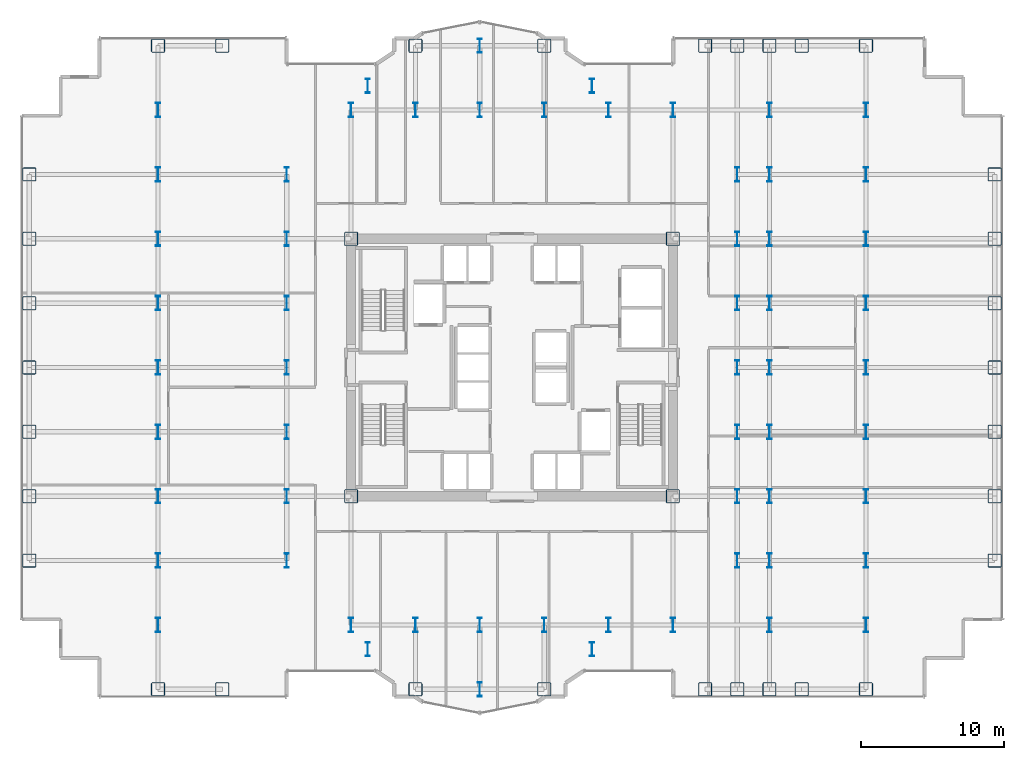
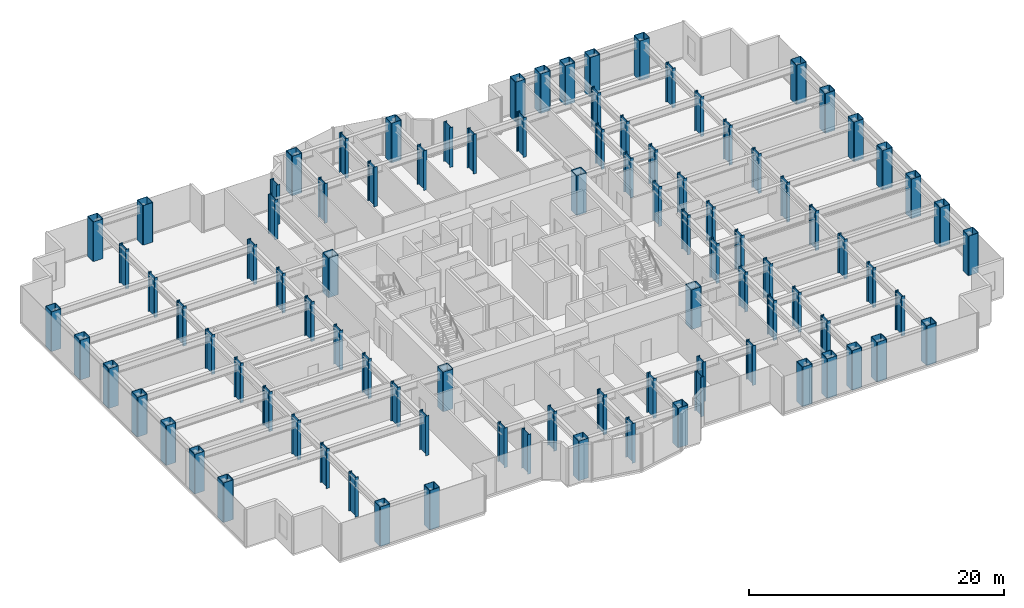
# One storey, part 1 of 26: 95 columns.
"""IFC4 building model written with IfcOpenShell, lengths in metres."""

from ifc_helpers import new_model, si_unit, direction, frame, origin, origin_2d, place, context, subcontext, project, spatial, hollow_rectangle, i_section, extrude, source, transform, mapped, material, material_profile, profile_set, type_object, element, save


model = new_model("IFC4")

# Units and contexts
model_context = context("Model", 3, precision=1e-05, world=origin(), true_north=direction((0.0, 1.0)))
body_context = subcontext(model_context, "Body", "Model", "MODEL_VIEW")
ifc_project = project(units=[si_unit("LENGTHUNIT", "METRE"), si_unit("AREAUNIT", "SQUARE_METRE"), si_unit("VOLUMEUNIT", "CUBIC_METRE"), si_unit("PLANEANGLEUNIT", "RADIAN"), si_unit("MASSUNIT", "GRAM", prefix="KILO")], contexts=[model_context])

# Site, building, storey
site_placement = place(None, origin())
site = spatial("IfcSite", under=ifc_project, at=site_placement, CompositionType="ELEMENT")
building_placement = place(site_placement, origin())
building = spatial("IfcBuilding", under=site, at=building_placement, Name="Nefas-Gora Pilgrimage Tower", CompositionType="ELEMENT")
storey_placement = place(building_placement, frame((0.0, 0.0, 36.800048828125)))
storey = spatial("IfcBuildingStorey", under=building, at=storey_placement, Name="L07", CompositionType="ELEMENT", Elevation=36.800048828125)

# Columns
ifc_material = material(Name="Steel S460", Category="steel")
ifc_material_profile_1 = material_profile(ifc_material, hollow_rectangle(XDim=0.949951171875, YDim=0.949951171875, WallThickness=0.044921875, InnerFilletRadius=0.044921875, OuterFilletRadius=0.090087890625, at=origin_2d()), Name="BOX 950x950x45")
ifc_profile_set_1 = profile_set([ifc_material_profile_1], Name="Steel S460")
column_type_1 = type_object("IfcColumnType", Name="COL-TUBE-950", PredefinedType="COLUMN", material=ifc_profile_set_1)
shared_shape_1 = source(origin(), body_context, "Body", "SweptSolid", [
    extrude(hollow_rectangle(XDim=0.949951171875, YDim=0.949951171875, WallThickness=0.044921875, InnerFilletRadius=0.044921875, OuterFilletRadius=0.090087890625, at=origin_2d()), origin(), (0.0, 0.0, 1.0), 3.800048828125),
])
for number, where, z_axis, x_axis, name in (
    (1, (-33.75, -13.5, 0.0), (0.0, 0.0, 1.0), (1.0, 0.0, 0.0), "L07 Tower Column C-Z1.1"),
    (2, (-33.75, -9.0, 0.0), (0.0, 0.0, 1.0), (1.0, 0.0, 0.0), "L07 Tower Column C-Z1.2"),
    (3, (-33.75, -4.5, 0.0), (0.0, 0.0, 1.0), (1.0, 0.0, 0.0), "L07 Tower Column C-Z1.3"),
    (4, (-33.75, 0.0, 0.0), (0.0, 0.0, 1.0), (1.0, 0.0, 0.0), "L07 Tower Column C-Z1.4"),
    (5, (-33.75, 4.5, 0.0), (0.0, 0.0, 1.0), (1.0, 0.0, 0.0), "L07 Tower Column C-Z1.5"),
    (6, (-33.75, 9.0, 0.0), (0.0, 0.0, 1.0), (1.0, 0.0, 0.0), "L07 Tower Column C-Z1.6"),
    (7, (-33.75, 13.5, 0.0), (0.0, 0.0, 1.0), (1.0, 0.0, 0.0), "L07 Tower Column C-Z1.7"),
    (8, (-24.75, -22.5, 0.0), (0.0, 0.0, 1.0), (1.0, 0.0, 0.0), "L07 Tower Column C-Z1.8"),
    (9, (-24.75, 22.5, 0.0), (0.0, 0.0, 1.0), (1.0, 0.0, 0.0), "L07 Tower Column C-Z1.18"),
    (10, (-20.25, -22.5, 0.0), (0.0, 0.0, 1.0), (1.0, 0.0, 0.0), "L07 Tower Column C-Z1.19"),
    (11, (-20.25, 22.5, 0.0), (0.0, 0.0, 1.0), (1.0, 0.0, 0.0), "L07 Tower Column C-Z1.20"),
    (12, (-6.75, -22.5, 0.0), (0.0, 0.0, 1.0), (1.0, 0.0, 0.0), "L07 Tower Column C-Z1.34"),
    (13, (-6.75, 22.5, 0.0), (0.0, 0.0, 1.0), (1.0, 0.0, 0.0), "L07 Tower Column C-Z1.37"),
    (14, (2.25, -22.5, 0.0), (0.0, 0.0, 1.0), (1.0, 0.0, 0.0), "L07 Tower Column C-Z1.42"),
    (15, (2.25, 22.5, 0.0), (0.0, 0.0, 1.0), (1.0, 0.0, 0.0), "L07 Tower Column C-Z1.45"),
    (16, (13.5, -22.5, 0.0), (0.0, 0.0, 1.0), (1.0, 0.0, 0.0), "L07 Tower Column C-Z1.54"),
    (17, (13.5, 22.5, 0.0), (0.0, 0.0, 1.0), (1.0, 0.0, 0.0), "L07 Tower Column C-Z1.55"),
    (18, (15.75, -22.5, 0.0), (0.0, 0.0, 1.0), (1.0, 0.0, 0.0), "L07 Tower Column C-Z1.56"),
    (19, (15.75, 22.5, 0.0), (0.0, 0.0, 1.0), (1.0, 0.0, 0.0), "L07 Tower Column C-Z1.64"),
    (20, (18.0, -22.5, 0.0), (0.0, 0.0, 1.0), (1.0, 0.0, 0.0), "L07 Tower Column C-Z1.65"),
    (21, (18.0, 22.5, 0.0), (0.0, 0.0, 1.0), (1.0, 0.0, 0.0), "L07 Tower Column C-Z1.75"),
    (22, (20.25, -22.5, 0.0), (0.0, 0.0, 1.0), (1.0, 0.0, 0.0), "L07 Tower Column C-Z1.76"),
    (23, (20.25, 22.5, 0.0), (0.0, 0.0, 1.0), (1.0, 0.0, 0.0), "L07 Tower Column C-Z1.77"),
    (24, (24.75, -22.5, 0.0), (0.0, 0.0, 1.0), (1.0, 0.0, 0.0), "L07 Tower Column C-Z1.78"),
    (25, (24.75, 22.5, 0.0), (0.0, 0.0, 1.0), (1.0, 0.0, 0.0), "L07 Tower Column C-Z1.88"),
    (26, (33.75, -13.5, 0.0), (0.0, 0.0, 1.0), (1.0, 0.0, 0.0), "L07 Tower Column C-Z1.89"),
    (27, (33.75, -9.0, 0.0), (0.0, 0.0, 1.0), (1.0, 0.0, 0.0), "L07 Tower Column C-Z1.90"),
    (28, (33.75, -4.5, 0.0), (0.0, 0.0, 1.0), (1.0, 0.0, 0.0), "L07 Tower Column C-Z1.91"),
    (29, (33.75, 0.0, 0.0), (0.0, 0.0, 1.0), (1.0, 0.0, 0.0), "L07 Tower Column C-Z1.92"),
    (30, (33.75, 4.5, 0.0), (0.0, 0.0, 1.0), (1.0, 0.0, 0.0), "L07 Tower Column C-Z1.93"),
    (31, (33.75, 9.0, 0.0), (0.0, 0.0, 1.0), (1.0, 0.0, 0.0), "L07 Tower Column C-Z1.94"),
    (32, (33.75, 13.5, 0.0), (0.0, 0.0, 1.0), (1.0, 0.0, 0.0), "L07 Tower Column C-Z1.95"),
):
    element("IfcColumn", number, at=place(storey_placement, frame(where, z_axis=z_axis, x_axis=x_axis)), inside=storey, type_object=column_type_1, Name=name, PredefinedType="COLUMN", context=body_context, shape_type="MappedRepresentation", body=[
        mapped(shared_shape_1, transform((0.0, 0.0, 0.0), x_axis=(1.0, 0.0, 0.0), y_axis=(0.0, 1.0, 0.0), z_axis=(0.0, 0.0, 1.0), scale=1.0)),
    ])
ifc_material_profile_2 = material_profile(ifc_material, i_section(OverallWidth=0.302001953125, OverallDepth=1.008056640625, WebThickness=0.02099609375, FlangeThickness=0.0400390625, FilletRadius=0.030029296875, at=origin_2d()), Name="HEM 1000")
ifc_profile_set_2 = profile_set([ifc_material_profile_2], Name="Steel S460")
column_type_2 = type_object("IfcColumnType", Name="COL-WEB-HEM1000", PredefinedType="COLUMN", material=ifc_profile_set_2)
shared_shape_2 = source(origin(), body_context, "Body", "SweptSolid", [
    extrude(i_section(OverallWidth=0.302001953125, OverallDepth=1.008056640625, WebThickness=0.02099609375, FlangeThickness=0.0400390625, FilletRadius=0.030029296875, at=origin_2d()), origin(), (0.0, 0.0, 1.0), 3.800048828125),
])
for number, where, z_axis, x_axis, name in (
    (33, (-24.75, -18.0, 0.0), (0.0, 0.0, 1.0), (1.0, 0.0, 0.0), "L07 Tower Column CW-01.9"),
    (34, (-24.75, -13.5, 0.0), (0.0, 0.0, 1.0), (1.0, 0.0, 0.0), "L07 Tower Column CW-01.10"),
    (35, (-24.75, -9.0, 0.0), (0.0, 0.0, 1.0), (1.0, 0.0, 0.0), "L07 Tower Column CW-01.11"),
    (36, (-24.75, -4.5, 0.0), (0.0, 0.0, 1.0), (1.0, 0.0, 0.0), "L07 Tower Column CW-01.12"),
    (37, (-24.75, 0.0, 0.0), (0.0, 0.0, 1.0), (1.0, 0.0, 0.0), "L07 Tower Column CW-01.13"),
    (38, (-24.75, 4.5, 0.0), (0.0, 0.0, 1.0), (1.0, 0.0, 0.0), "L07 Tower Column CW-01.14"),
    (39, (-24.75, 9.0, 0.0), (0.0, 0.0, 1.0), (1.0, 0.0, 0.0), "L07 Tower Column CW-01.15"),
    (40, (-24.75, 13.5, 0.0), (0.0, 0.0, 1.0), (1.0, 0.0, 0.0), "L07 Tower Column CW-01.16"),
    (41, (-24.75, 18.0, 0.0), (0.0, 0.0, 1.0), (1.0, 0.0, 0.0), "L07 Tower Column CW-01.17"),
    (42, (-15.75, -13.5, 0.0), (0.0, 0.0, 1.0), (1.0, 0.0, 0.0), "L07 Tower Column CW-01.21"),
    (43, (-15.75, -9.0, 0.0), (0.0, 0.0, 1.0), (1.0, 0.0, 0.0), "L07 Tower Column CW-01.22"),
    (44, (-15.75, -4.5, 0.0), (0.0, 0.0, 1.0), (1.0, 0.0, 0.0), "L07 Tower Column CW-01.23"),
    (45, (-15.75, 0.0, 0.0), (0.0, 0.0, 1.0), (1.0, 0.0, 0.0), "L07 Tower Column CW-01.24"),
    (46, (-15.75, 4.5, 0.0), (0.0, 0.0, 1.0), (1.0, 0.0, 0.0), "L07 Tower Column CW-01.25"),
    (47, (-15.75, 9.0, 0.0), (0.0, 0.0, 1.0), (1.0, 0.0, 0.0), "L07 Tower Column CW-01.26"),
    (48, (-15.75, 13.5, 0.0), (0.0, 0.0, 1.0), (1.0, 0.0, 0.0), "L07 Tower Column CW-01.27"),
    (49, (-11.25, -18.0, 0.0), (0.0, 0.0, 1.0), (1.0, 0.0, 0.0), "L07 Tower Column CW-01.28"),
    (50, (-11.25, 18.0, 0.0), (0.0, 0.0, 1.0), (1.0, 0.0, 0.0), "L07 Tower Column CW-01.31"),
    (51, (-10.091064453125, -19.696044921875, 0.0), (0.0, 0.0, 1.0), (1.0, 0.0, 0.0), "L07 Tower Column CW-01.32"),
    (52, (-10.091064453125, 19.696044921875, 0.0), (0.0, 0.0, 1.0), (1.0, 0.0, 0.0), "L07 Tower Column CW-01.33"),
    (53, (-6.75, -18.0, 0.0), (0.0, 0.0, 1.0), (1.0, 0.0, 0.0), "L07 Tower Column CW-01.35"),
    (54, (-6.75, 18.0, 0.0), (0.0, 0.0, 1.0), (1.0, 0.0, 0.0), "L07 Tower Column CW-01.36"),
    (55, (-2.25, -22.5, 0.0), (0.0, 0.0, 1.0), (1.0, 0.0, 0.0), "L07 Tower Column CW-01.38"),
    (56, (-2.25, -18.0, 0.0), (0.0, 0.0, 1.0), (1.0, 0.0, 0.0), "L07 Tower Column CW-01.39"),
    (57, (-2.25, 18.0, 0.0), (0.0, 0.0, 1.0), (1.0, 0.0, 0.0), "L07 Tower Column CW-01.40"),
    (58, (-2.25, 22.5, 0.0), (0.0, 0.0, 1.0), (1.0, 0.0, 0.0), "L07 Tower Column CW-01.41"),
    (59, (2.25, -18.0, 0.0), (0.0, 0.0, 1.0), (1.0, 0.0, 0.0), "L07 Tower Column CW-01.43"),
    (60, (2.25, 18.0, 0.0), (0.0, 0.0, 1.0), (1.0, 0.0, 0.0), "L07 Tower Column CW-01.44"),
    (61, (5.591064453125, -19.696044921875, 0.0), (0.0, 0.0, 1.0), (1.0, 0.0, 0.0), "L07 Tower Column CW-01.46"),
    (62, (5.591064453125, 19.696044921875, 0.0), (0.0, 0.0, 1.0), (1.0, 0.0, 0.0), "L07 Tower Column CW-01.47"),
    (63, (6.75, -18.0, 0.0), (0.0, 0.0, 1.0), (1.0, 0.0, 0.0), "L07 Tower Column CW-01.48"),
    (64, (6.75, 18.0, 0.0), (0.0, 0.0, 1.0), (1.0, 0.0, 0.0), "L07 Tower Column CW-01.49"),
    (65, (11.25, -18.0, 0.0), (0.0, 0.0, 1.0), (1.0, 0.0, 0.0), "L07 Tower Column CW-01.50"),
    (66, (11.25, 18.0, 0.0), (0.0, 0.0, 1.0), (1.0, 0.0, 0.0), "L07 Tower Column CW-01.53"),
    (67, (15.75, -13.5, 0.0), (0.0, 0.0, 1.0), (1.0, 0.0, 0.0), "L07 Tower Column CW-01.57"),
    (68, (15.75, -9.0, 0.0), (0.0, 0.0, 1.0), (1.0, 0.0, 0.0), "L07 Tower Column CW-01.58"),
    (69, (15.75, -4.5, 0.0), (0.0, 0.0, 1.0), (1.0, 0.0, 0.0), "L07 Tower Column CW-01.59"),
    (70, (15.75, 0.0, 0.0), (0.0, 0.0, 1.0), (1.0, 0.0, 0.0), "L07 Tower Column CW-01.60"),
    (71, (15.75, 4.5, 0.0), (0.0, 0.0, 1.0), (1.0, 0.0, 0.0), "L07 Tower Column CW-01.61"),
    (72, (15.75, 9.0, 0.0), (0.0, 0.0, 1.0), (1.0, 0.0, 0.0), "L07 Tower Column CW-01.62"),
    (73, (15.75, 13.5, 0.0), (0.0, 0.0, 1.0), (1.0, 0.0, 0.0), "L07 Tower Column CW-01.63"),
    (74, (18.0, -18.0, 0.0), (0.0, 0.0, 1.0), (1.0, 0.0, 0.0), "L07 Tower Column CW-01.66"),
    (75, (18.0, -13.5, 0.0), (0.0, 0.0, 1.0), (1.0, 0.0, 0.0), "L07 Tower Column CW-01.67"),
    (76, (18.0, -9.0, 0.0), (0.0, 0.0, 1.0), (1.0, 0.0, 0.0), "L07 Tower Column CW-01.68"),
    (77, (18.0, -4.5, 0.0), (0.0, 0.0, 1.0), (1.0, 0.0, 0.0), "L07 Tower Column CW-01.69"),
    (78, (18.0, 0.0, 0.0), (0.0, 0.0, 1.0), (1.0, 0.0, 0.0), "L07 Tower Column CW-01.70"),
    (79, (18.0, 4.5, 0.0), (0.0, 0.0, 1.0), (1.0, 0.0, 0.0), "L07 Tower Column CW-01.71"),
    (80, (18.0, 9.0, 0.0), (0.0, 0.0, 1.0), (1.0, 0.0, 0.0), "L07 Tower Column CW-01.72"),
    (81, (18.0, 13.5, 0.0), (0.0, 0.0, 1.0), (1.0, 0.0, 0.0), "L07 Tower Column CW-01.73"),
    (82, (18.0, 18.0, 0.0), (0.0, 0.0, 1.0), (1.0, 0.0, 0.0), "L07 Tower Column CW-01.74"),
    (83, (24.75, -18.0, 0.0), (0.0, 0.0, 1.0), (1.0, 0.0, 0.0), "L07 Tower Column CW-01.79"),
    (84, (24.75, -13.5, 0.0), (0.0, 0.0, 1.0), (1.0, 0.0, 0.0), "L07 Tower Column CW-01.80"),
    (85, (24.75, -9.0, 0.0), (0.0, 0.0, 1.0), (1.0, 0.0, 0.0), "L07 Tower Column CW-01.81"),
    (86, (24.75, -4.5, 0.0), (0.0, 0.0, 1.0), (1.0, 0.0, 0.0), "L07 Tower Column CW-01.82"),
    (87, (24.75, 0.0, 0.0), (0.0, 0.0, 1.0), (1.0, 0.0, 0.0), "L07 Tower Column CW-01.83"),
    (88, (24.75, 4.5, 0.0), (0.0, 0.0, 1.0), (1.0, 0.0, 0.0), "L07 Tower Column CW-01.84"),
    (89, (24.75, 9.0, 0.0), (0.0, 0.0, 1.0), (1.0, 0.0, 0.0), "L07 Tower Column CW-01.85"),
    (90, (24.75, 13.5, 0.0), (0.0, 0.0, 1.0), (1.0, 0.0, 0.0), "L07 Tower Column CW-01.86"),
    (91, (24.75, 18.0, 0.0), (0.0, 0.0, 1.0), (1.0, 0.0, 0.0), "L07 Tower Column CW-01.87"),
):
    element("IfcColumn", number, at=place(storey_placement, frame(where, z_axis=z_axis, x_axis=x_axis)), inside=storey, type_object=column_type_2, Name=name, PredefinedType="COLUMN", context=body_context, shape_type="MappedRepresentation", body=[
        mapped(shared_shape_2, transform((0.0, 0.0, 0.0), x_axis=(1.0, 0.0, 0.0), y_axis=(0.0, 1.0, 0.0), z_axis=(0.0, 0.0, 1.0), scale=1.0)),
    ])
ifc_material_profile_3 = material_profile(ifc_material, hollow_rectangle(XDim=0.949951171875, YDim=0.949951171875, WallThickness=0.044921875, InnerFilletRadius=0.044921875, OuterFilletRadius=0.090087890625, at=origin_2d()), Name="BOX 950x950x45")
ifc_profile_set_3 = profile_set([ifc_material_profile_3], Name="Steel S460")
column_type_3 = type_object("IfcColumnType", Name="COL-CORE-950", PredefinedType="COLUMN", material=ifc_profile_set_3)
shared_shape_3 = source(origin(), body_context, "Body", "SweptSolid", [
    extrude(hollow_rectangle(XDim=0.949951171875, YDim=0.949951171875, WallThickness=0.044921875, InnerFilletRadius=0.044921875, OuterFilletRadius=0.090087890625, at=origin_2d()), origin(), (0.0, 0.0, 1.0), 3.800048828125),
])
for number, where, z_axis, x_axis, name in (
    (92, (-11.25, -9.0, 0.0), (0.0, 0.0, 1.0), (1.0, 0.0, 0.0), "L07 Tower Column CC-Z1.29"),
    (93, (-11.25, 9.0, 0.0), (0.0, 0.0, 1.0), (1.0, 0.0, 0.0), "L07 Tower Column CC-Z1.30"),
    (94, (11.25, -9.0, 0.0), (0.0, 0.0, 1.0), (1.0, 0.0, 0.0), "L07 Tower Column CC-Z1.51"),
    (95, (11.25, 9.0, 0.0), (0.0, 0.0, 1.0), (1.0, 0.0, 0.0), "L07 Tower Column CC-Z1.52"),
):
    element("IfcColumn", number, at=place(storey_placement, frame(where, z_axis=z_axis, x_axis=x_axis)), inside=storey, type_object=column_type_3, Name=name, PredefinedType="COLUMN", context=body_context, shape_type="MappedRepresentation", body=[
        mapped(shared_shape_3, transform((0.0, 0.0, 0.0), x_axis=(1.0, 0.0, 0.0), y_axis=(0.0, 1.0, 0.0), z_axis=(0.0, 0.0, 1.0), scale=1.0)),
    ])

save(model, "model.ifc")
